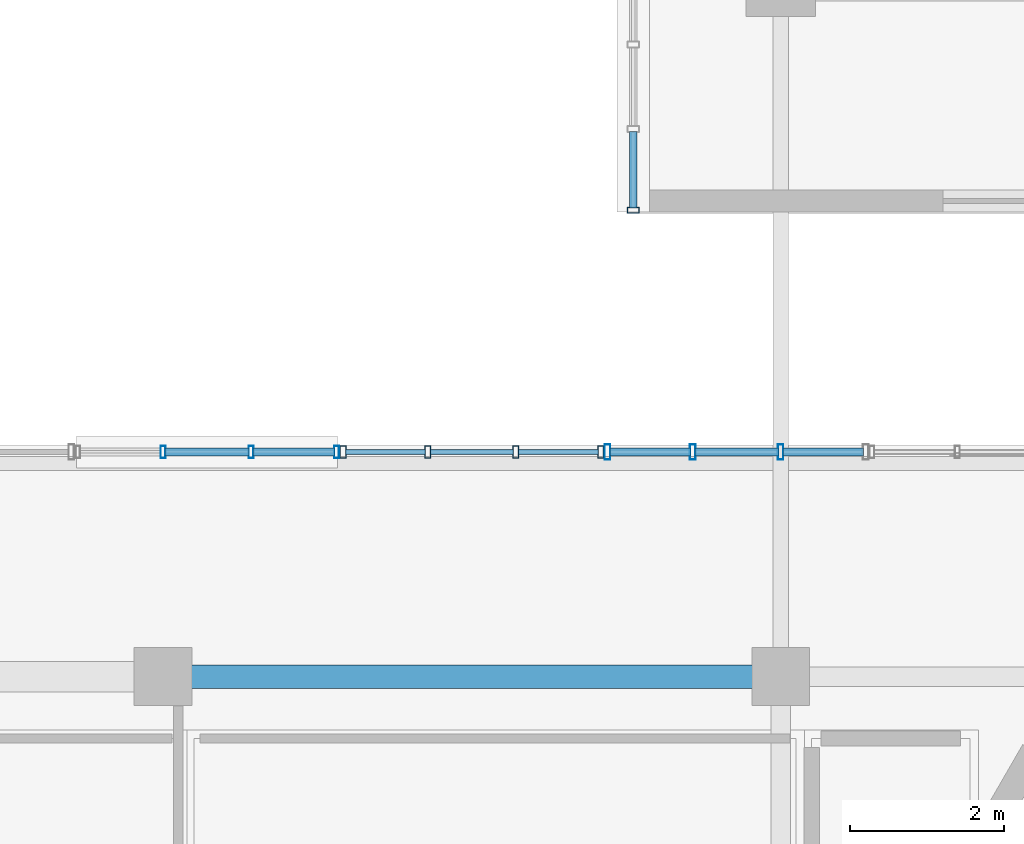
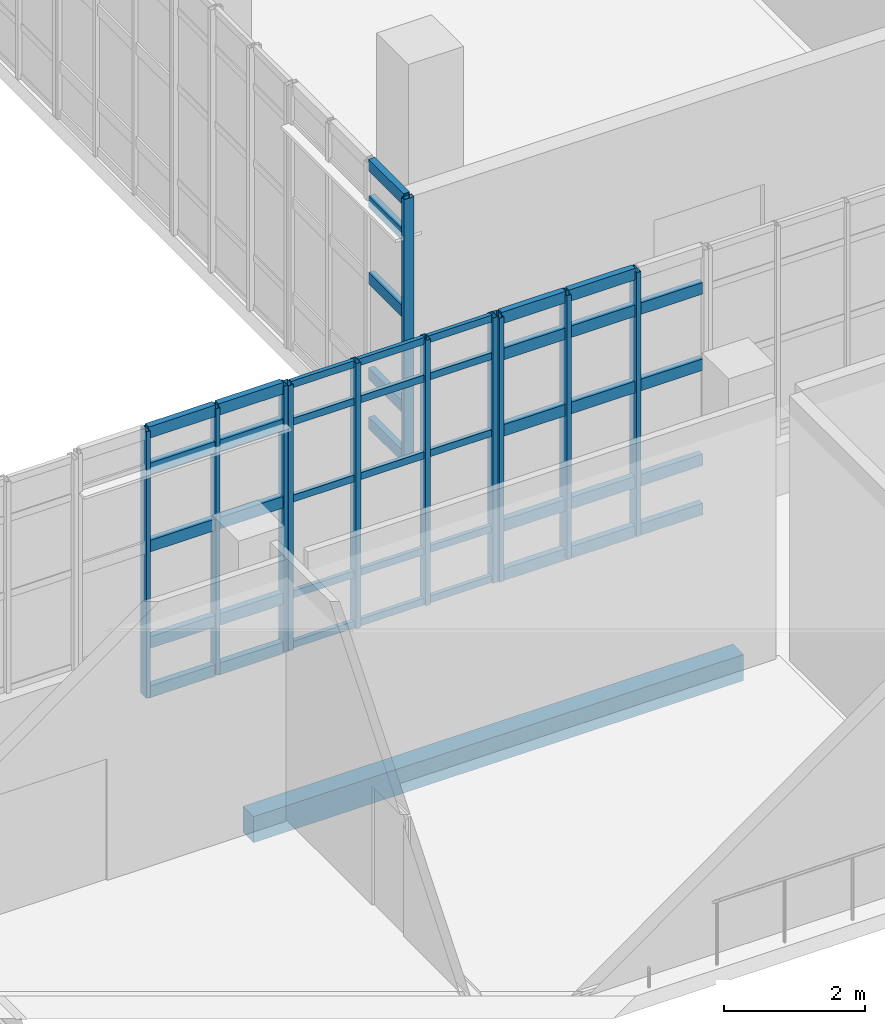
# One storey, part 27 of 102: 55 members, 1 beam, 4 elements without a shape of their own.
"""IFC4 building model written with IfcOpenShell, lengths in metres."""

import ifcopenshell
import ifcopenshell.guid

model = None  # the IFC model being written
_history = None  # IfcOwnerHistory: only IFC2X3 demands one
_inside = {}  # id of a spatial element -> (the spatial element, [elements in it])
_under = {}  # id of a project, library or spatial element -> (it, [spatial elements below it])
_declared = {}  # id of a project -> (the project, [libraries it declares])
_typed = {}  # id of a type object -> (the type object, [elements of that type])
_made_of = {}  # id of a material, layer set ... -> (it, [elements and type objects made of it])


def new_model(schema):
    """Start an empty IFC model of exactly this schema.

    Asked for "IFC4X3", IfcOpenShell would pick the latest addendum, in which some entities
    have other attributes; the version numbers below select the first issue.
    IFC2X3 requires an IfcOwnerHistory on every rooted entity: one is made here for all.
    """
    global model, _history
    if schema == "IFC4X3":
        model = ifcopenshell.file(schema_version=(4, 3, 0, 0))
    else:
        model = ifcopenshell.file(schema=schema)
    _inside.clear()
    _under.clear()
    _declared.clear()
    _typed.clear()
    _made_of.clear()
    _history = None
    if model.schema == "IFC2X3":
        org = make("IfcOrganization", Name="unknown")
        user = make(
            "IfcPersonAndOrganization",
            ThePerson=make("IfcPerson", FamilyName="unknown"),
            TheOrganization=org,
        )
        app = make(
            "IfcApplication",
            ApplicationDeveloper=org,
            Version="unknown",
            ApplicationFullName="unknown",
            ApplicationIdentifier="unknown",
        )
        _history = make(
            "IfcOwnerHistory",
            OwningUser=user,
            OwningApplication=app,
            ChangeAction="ADDED",
            CreationDate=0,
        )
    return model


def make(cls, **values):
    """One entity of the class cls with the attributes given. An attribute that is None is left unset."""
    return model.create_entity(
        cls, **{name: value for name, value in values.items() if value is not None}
    )


def rooted(cls, **values):
    """An entity with a GlobalId (a new one), such as an element, a storey or a relation."""
    return make(cls, GlobalId=ifcopenshell.guid.new(), OwnerHistory=_history, **values)


def si_unit(unit_type, name, prefix=None):
    """IfcSIUnit, for example si_unit("LENGTHUNIT", "METRE", prefix="MILLI")."""
    return make("IfcSIUnit", UnitType=unit_type, Prefix=prefix, Name=name)


def derived_unit(unit_type, elements):
    """IfcDerivedUnit: a product of units, each with its exponent."""
    return make(
        "IfcDerivedUnit",
        Elements=[
            make("IfcDerivedUnitElement", Unit=unit, Exponent=power)
            for unit, power in elements
        ],
        UnitType=unit_type,
    )


def assignment(units):
    """IfcUnitAssignment: the units of a project."""
    return None if units is None else make("IfcUnitAssignment", Units=units)


def point(xyz):
    """IfcCartesianPoint."""
    return None if xyz is None else make("IfcCartesianPoint", Coordinates=xyz)


def direction(xyz):
    """IfcDirection."""
    return None if xyz is None else make("IfcDirection", DirectionRatios=xyz)


def frame(location, z_axis=None, x_axis=None):
    """IfcAxis2Placement3D, a coordinate frame: its origin and axes. An axis left out is left unset."""
    return make(
        "IfcAxis2Placement3D",
        Location=point(location),
        Axis=direction(z_axis),
        RefDirection=direction(x_axis),
    )


def frame_2d(location, x_axis=None):
    """IfcAxis2Placement2D, a coordinate frame in the plane: its origin and x axis."""
    return make(
        "IfcAxis2Placement2D", Location=point(location), RefDirection=direction(x_axis)
    )


def origin():
    """The frame at (0, 0, 0) with its axes left unset."""
    return frame((0.0, 0.0, 0.0))


def origin_2d():
    """The frame at (0, 0) in the plane with its x axis left unset."""
    return frame_2d((0.0, 0.0))


def place(relative_to, where):
    """IfcLocalPlacement: puts the frame where relative to a parent placement (None: the world)."""
    return make(
        "IfcLocalPlacement", PlacementRelTo=relative_to, RelativePlacement=where
    )


def context(
    kind, dimensions, precision=None, world=None, true_north=None, identifier=None
):
    """IfcGeometricRepresentationContext, for example the 3D "Model" context."""
    return make(
        "IfcGeometricRepresentationContext",
        ContextIdentifier=identifier,
        ContextType=kind,
        CoordinateSpaceDimension=dimensions,
        Precision=precision,
        WorldCoordinateSystem=world,
        TrueNorth=true_north,
    )


def subcontext(parent, identifier, kind, view, scale=None):
    """IfcGeometricRepresentationSubContext, for example "Body" below "Model"."""
    return make(
        "IfcGeometricRepresentationSubContext",
        ContextIdentifier=identifier,
        ContextType=kind,
        ParentContext=parent,
        TargetScale=scale,
        TargetView=view,
    )


def project(units=None, contexts=None):
    """IfcProject with its units and contexts."""
    return rooted(
        "IfcProject",
        Name="project",
        RepresentationContexts=contexts,
        UnitsInContext=assignment(units),
    )


def spatial(cls, under=None, at=None, **own):
    """A site, building, storey or space (cls), placed at a placement, below another one or the project."""
    s = rooted(cls, ObjectPlacement=at, **own)
    if under is not None:
        _under.setdefault(under.id(), (under, []))[1].append(s)
    return s


def profile(cls, at=None, kind="AREA", **sizes):
    """A parametric profile (cls). Its sizes go by their IFC names, for example OverallWidth=200.0."""
    return make(cls, ProfileType=kind, Position=at, **sizes)


def rectangle(**sizes):
    """IfcRectangleProfileDef."""
    return profile("IfcRectangleProfileDef", **sizes)


def hollow_rectangle(**sizes):
    """IfcRectangleHollowProfileDef."""
    return profile("IfcRectangleHollowProfileDef", **sizes)


def extrude(swept, where, along, depth):
    """IfcExtrudedAreaSolid: the profile swept, set in the frame where, extruded along a direction by depth."""
    return make(
        "IfcExtrudedAreaSolid",
        SweptArea=swept,
        Position=where,
        ExtrudedDirection=direction(along),
        Depth=depth,
    )


def shape(context_of_items, identifier, shape_type, items):
    """IfcShapeRepresentation: the items that make up one representation, for example the "Body"."""
    return make(
        "IfcShapeRepresentation",
        ContextOfItems=context_of_items,
        RepresentationIdentifier=identifier,
        RepresentationType=shape_type,
        Items=items,
    )


def material(Name=None, Category=None):
    """IfcMaterial."""
    return make("IfcMaterial", Name=Name, Category=Category)


def layer(
    of_material, thickness, ventilated=None, Name=None, Category=None, Priority=None
):
    """IfcMaterialLayer: one layer of a wall or slab, of a material (None: an air gap)."""
    return make(
        "IfcMaterialLayer",
        Material=of_material,
        LayerThickness=thickness,
        IsVentilated=ventilated,
        Name=Name,
        Category=Category,
        Priority=Priority,
    )


def layer_set(layers, Name=None):
    """IfcMaterialLayerSet."""
    return make("IfcMaterialLayerSet", MaterialLayers=layers, LayerSetName=Name)


def material_profile(
    of_material, cross_section, Name=None, Category=None, Priority=None
):
    """IfcMaterialProfile: a cross section and its material."""
    return make(
        "IfcMaterialProfile",
        Name=Name,
        Material=of_material,
        Profile=cross_section,
        Priority=Priority,
        Category=Category,
    )


def profile_set(profiles, Name=None, composite=None):
    """IfcMaterialProfileSet."""
    return make(
        "IfcMaterialProfileSet",
        Name=Name,
        MaterialProfiles=profiles,
        CompositeProfile=composite,
    )


def made_of(thing, what):
    """Note that an element or type object is made of a material, layer set ...; save() writes the relation."""
    if what is not None:
        _made_of.setdefault(what.id(), (what, []))[1].append(thing)
    return thing


def type_object(cls, material=None, **own):
    """A type object (cls), such as IfcWallType, which elements share."""
    return made_of(rooted(cls, **own), material)


def element(
    cls,
    number,
    at=None,
    inside=None,
    cuts=None,
    type_object=None,
    material=None,
    context=None,
    identifier="Body",
    shape_type=None,
    held_by="IfcProductDefinitionShape",
    body=None,
    shapes=None,
    **own,
):
    """One element of the class cls, such as IfcWall. Its Tag is "e" and its number.

    at: its placement. inside: the storey or other place that contains it. cuts: it is an
    opening in that element (IfcRelVoidsElement). A single representation is given by context,
    identifier, shape_type and body (its items); several are given by shapes. held_by: the class
    of the entity that holds the representations. save() writes the other relations.
    """
    e = rooted(cls, Tag="e%d" % number, ObjectPlacement=at, **own)
    if body is not None:
        shapes = [shape(context, identifier, shape_type, body)]
    if shapes is not None:
        e.Representation = make(held_by, Representations=shapes)
    if inside is not None:
        _inside.setdefault(inside.id(), (inside, []))[1].append(e)
    if cuts is not None:
        rooted(
            "IfcRelVoidsElement", RelatingBuildingElement=cuts, RelatedOpeningElement=e
        )
    if type_object is not None:
        _typed.setdefault(type_object.id(), (type_object, []))[1].append(e)
    return made_of(e, material)


def aggregate(whole, parts):
    """IfcRelAggregates: a whole, such as a stair, and the parts it consists of."""
    return rooted("IfcRelAggregates", RelatingObject=whole, RelatedObjects=parts)


def save(model, path):
    """Write the relations noted so far, then the file.

    IfcRelAggregates (storeys below a building ...), IfcRelContainedInSpatialStructure (elements
    in a storey), IfcRelDefinesByType, IfcRelAssociatesMaterial and IfcRelDeclares: one each for
    every whole, place, type object, material and project.
    """
    for whole, parts in _under.values():
        aggregate(whole, parts)
    for where, things in _inside.values():
        rooted(
            "IfcRelContainedInSpatialStructure",
            RelatedElements=things,
            RelatingStructure=where,
        )
    for kind, things in _typed.values():
        rooted("IfcRelDefinesByType", RelatedObjects=things, RelatingType=kind)
    for what, things in _made_of.values():
        rooted("IfcRelAssociatesMaterial", RelatedObjects=things, RelatingMaterial=what)
    for by, libraries in _declared.values():
        rooted("IfcRelDeclares", RelatingContext=by, RelatedDefinitions=libraries)
    model.write(path)


model = new_model("IFC4")

# Units and contexts
model_context = context("Model", 3, precision=1e-05, world=origin(), true_north=direction((0.0, 1.0)))
body_context = subcontext(model_context, "Body", "Model", "MODEL_VIEW")
ifc_project = project(units=[si_unit("LENGTHUNIT", "METRE"), si_unit("AREAUNIT", "SQUARE_METRE"), si_unit("VOLUMEUNIT", "CUBIC_METRE"), si_unit("PLANEANGLEUNIT", "RADIAN"), si_unit("MASSUNIT", "GRAM", prefix="KILO"), derived_unit("THERMALTRANSMITTANCEUNIT", [(si_unit("POWERUNIT", "WATT"), 1), (si_unit("LENGTHUNIT", "METRE"), -2), (si_unit("THERMODYNAMICTEMPERATUREUNIT", "KELVIN"), -1)])], contexts=[model_context])

# Site, building, storey
site_placement = place(None, origin())
site = spatial("IfcSite", under=ifc_project, at=site_placement, CompositionType="ELEMENT")
building_placement = place(site_placement, origin())
building = spatial("IfcBuilding", under=site, at=building_placement, Name="Nallur Shell Playhouse", CompositionType="ELEMENT")
storey_placement = place(building_placement, frame((0.0, 0.0, 15.0)))
storey = spatial("IfcBuildingStorey", under=building, at=storey_placement, Name="L04", CompositionType="ELEMENT", Elevation=15.0)

# Beam
ifc_material_1 = material(Name="Concrete M35", Category="concrete")
ifc_material_profile_1 = material_profile(ifc_material_1, rectangle(XDim=0.300048828125, YDim=0.449951171875, at=origin_2d()), Name="RC 300x450")
ifc_profile_set_1 = profile_set([ifc_material_profile_1], Name="Concrete M35")
beam_type = type_object("IfcBeamType", Name="BM-SPN-300x450", PredefinedType="SPANDREL", material=ifc_profile_set_1)
beam_placement = place(storey_placement, frame((48.0, 41.0, -0.485107421875), z_axis=(1.0, 0.0, 0.0), x_axis=(0.0, 1.0, 0.0)))
element("IfcBeam", 1, at=beam_placement, inside=storey, type_object=beam_type, Name="L04 girder X-E-768", PredefinedType="SPANDREL", context=body_context, shape_type="SweptSolid", body=[
    extrude(rectangle(XDim=0.300048828125, YDim=0.449951171875, at=origin_2d()), origin(), (0.0, 0.0, 1.0), 8.0),
])

# Curtain wall, members
ifc_material_2 = material(Name="Anodised Aluminium Double-Glazed Facade System", Category="aluminium")
ifc_layer_1 = layer(ifc_material_2, 0.172119140625)
ifc_layer_set_1 = layer_set([ifc_layer_1], Name="Anodised Aluminium Double-Glazed Facade System")
curtain_wall_type_1 = type_object("IfcCurtainWallType", Name="CW-UNIT-21", PredefinedType="NOTDEFINED", material=ifc_layer_set_1)
curtain_wall_1_placement = place(storey_placement, origin())
curtain_wall_1 = element("IfcCurtainWall", 2, at=curtain_wall_1_placement, inside=storey, type_object=curtain_wall_type_1, Name="Unitised curtain wall CW-149 (L04)", PredefinedType="NOTDEFINED")
ifc_material_3 = material(Name="Aluminium Alloy 6063-T6 Mullion", Category="aluminium")
ifc_material_profile_2 = material_profile(ifc_material_3, hollow_rectangle(XDim=0.080078125, YDim=0.159912109375, WallThickness=0.006103515625, at=origin_2d()), Name="RHS 160x80x6")
ifc_profile_set_2 = profile_set([ifc_material_profile_2], Name="Aluminium Alloy 6063-T6 Mullion")
member_type_1 = type_object("IfcMemberType", Name="MB-CW-MUL150", PredefinedType="MULLION", material=ifc_profile_set_2)
member_1_placement = place(storey_placement, frame((50.330810546875, 43.909912109375, -0.014892578125), z_axis=(0.0, 0.0, 1.0), x_axis=(1.0, 0.0, 0.0)))
member_1 = element("IfcMember", 3, at=member_1_placement, type_object=member_type_1, Name="CW-21 mullion 1", PredefinedType="MULLION", context=body_context, shape_type="SweptSolid", body=[
    extrude(hollow_rectangle(XDim=0.080078125, YDim=0.159912109375, WallThickness=0.006103515625, at=origin_2d()), origin(), (0.0, 0.0, 1.0), 4.578857421875),
])
member_2_placement = place(storey_placement, frame((51.43017578125, 43.909912109375, -0.014892578125), z_axis=(0.0, 0.0, 1.0), x_axis=(1.0, 0.0, 0.0)))
member_2 = element("IfcMember", 4, at=member_2_placement, type_object=member_type_1, Name="CW-21 mullion 2", PredefinedType="MULLION", context=body_context, shape_type="SweptSolid", body=[
    extrude(hollow_rectangle(XDim=0.080078125, YDim=0.159912109375, WallThickness=0.006103515625, at=origin_2d()), origin(), (0.0, 0.0, 1.0), 4.578857421875),
])
member_3_placement = place(storey_placement, frame((52.56982421875, 43.909912109375, -0.014892578125), z_axis=(0.0, 0.0, 1.0), x_axis=(1.0, 0.0, 0.0)))
member_3 = element("IfcMember", 5, at=member_3_placement, type_object=member_type_1, Name="CW-21 mullion 3", PredefinedType="MULLION", context=body_context, shape_type="SweptSolid", body=[
    extrude(hollow_rectangle(XDim=0.080078125, YDim=0.159912109375, WallThickness=0.006103515625, at=origin_2d()), origin(), (0.0, 0.0, 1.0), 4.578857421875),
])
member_4_placement = place(storey_placement, frame((53.669189453125, 43.909912109375, -0.014892578125), z_axis=(0.0, 0.0, 1.0), x_axis=(1.0, 0.0, 0.0)))
member_4 = element("IfcMember", 6, at=member_4_placement, type_object=member_type_1, Name="CW-21 mullion 4", PredefinedType="MULLION", context=body_context, shape_type="SweptSolid", body=[
    extrude(hollow_rectangle(XDim=0.080078125, YDim=0.159912109375, WallThickness=0.006103515625, at=origin_2d()), origin(), (0.0, 0.0, 1.0), 4.578857421875),
])

# Curtain wall, member
ifc_layer_2 = layer(ifc_material_2, 0.159912109375)
ifc_layer_set_2 = layer_set([ifc_layer_2], Name="Anodised Aluminium Double-Glazed Facade System")
curtain_wall_type_2 = type_object("IfcCurtainWallType", Name="CW-UNIT-24", PredefinedType="NOTDEFINED", material=ifc_layer_set_2)
curtain_wall_2_placement = place(storey_placement, origin())
curtain_wall_2 = element("IfcCurtainWall", 7, at=curtain_wall_2_placement, inside=storey, type_object=curtain_wall_type_2, Name="Unitised curtain wall CW-152 (L04)", PredefinedType="NOTDEFINED")
member_5_placement = place(storey_placement, frame((54.090087890625, 47.0400390625, -0.014892578125), z_axis=(0.0, 0.0, 1.0), x_axis=(0.0, 1.0, 0.0)))
member_5 = element("IfcMember", 8, at=member_5_placement, type_object=member_type_1, Name="CW-24 mullion 1", PredefinedType="MULLION", context=body_context, shape_type="SweptSolid", body=[
    extrude(hollow_rectangle(XDim=0.080078125, YDim=0.159912109375, WallThickness=0.006103515625, at=origin_2d()), origin(), (0.0, 0.0, 1.0), 4.56884765625),
])

# Curtain wall, members
ifc_layer_3 = layer(ifc_material_2, 0.16796875)
ifc_layer_set_3 = layer_set([ifc_layer_3], Name="Anodised Aluminium Double-Glazed Facade System")
curtain_wall_type_3 = type_object("IfcCurtainWallType", Name="CW-UNIT-20", PredefinedType="NOTDEFINED", material=ifc_layer_set_3)
curtain_wall_3_placement = place(storey_placement, origin())
curtain_wall_3 = element("IfcCurtainWall", 9, at=curtain_wall_3_placement, inside=storey, type_object=curtain_wall_type_3, Name="Unitised curtain wall CW-148 (L04)", PredefinedType="NOTDEFINED")
ifc_material_profile_3 = material_profile(ifc_material_3, hollow_rectangle(XDim=0.06494140625, YDim=0.159912109375, WallThickness=0.00390625, at=origin_2d()), Name="ALU 65x160x4")
ifc_profile_set_3 = profile_set([ifc_material_profile_3], Name="Aluminium Alloy 6063-T6 Mullion")
member_type_2 = type_object("IfcMemberType", Name="MB-CW-MUL160", PredefinedType="MULLION", material=ifc_profile_set_3)
member_6_placement = place(storey_placement, frame((48.001708984375, 43.909912109375, -0.014892578125), z_axis=(0.0, 0.0, 1.0), x_axis=(1.0, 0.0, 0.0)))
member_6 = element("IfcMember", 10, at=member_6_placement, type_object=member_type_2, Name="CW-20 mullion 2", PredefinedType="MULLION", context=body_context, shape_type="SweptSolid", body=[
    extrude(hollow_rectangle(XDim=0.06494140625, YDim=0.159912109375, WallThickness=0.00390625, at=origin_2d()), origin(), (0.0, 0.0, 1.0), 4.598876953125),
])
member_7_placement = place(storey_placement, frame((49.14111328125, 43.909912109375, -0.014892578125), z_axis=(0.0, 0.0, 1.0), x_axis=(1.0, 0.0, 0.0)))
member_7 = element("IfcMember", 11, at=member_7_placement, type_object=member_type_2, Name="CW-20 mullion 3", PredefinedType="MULLION", context=body_context, shape_type="SweptSolid", body=[
    extrude(hollow_rectangle(XDim=0.06494140625, YDim=0.159912109375, WallThickness=0.00390625, at=origin_2d()), origin(), (0.0, 0.0, 1.0), 4.598876953125),
])
member_8_placement = place(storey_placement, frame((50.248291015625, 43.909912109375, -0.014892578125), z_axis=(0.0, 0.0, 1.0), x_axis=(1.0, 0.0, 0.0)))
member_8 = element("IfcMember", 12, at=member_8_placement, type_object=member_type_2, Name="CW-20 mullion 4", PredefinedType="MULLION", context=body_context, shape_type="SweptSolid", body=[
    extrude(hollow_rectangle(XDim=0.06494140625, YDim=0.159912109375, WallThickness=0.00390625, at=origin_2d()), origin(), (0.0, 0.0, 1.0), 4.598876953125),
])

ifc_layer_4 = layer(ifc_material_2, 0.176025390625)
ifc_layer_set_4 = layer_set([ifc_layer_4], Name="Anodised Aluminium Double-Glazed Facade System")
curtain_wall_type_4 = type_object("IfcCurtainWallType", Name="CW-UNIT-22", PredefinedType="NOTDEFINED", material=ifc_layer_set_4)
curtain_wall_4_placement = place(storey_placement, origin())
curtain_wall_4 = element("IfcCurtainWall", 13, at=curtain_wall_4_placement, inside=storey, type_object=curtain_wall_type_4, Name="Unitised curtain wall CW-150 (L04)", PredefinedType="NOTDEFINED")
ifc_material_profile_4 = material_profile(ifc_material_3, hollow_rectangle(XDim=0.074951171875, YDim=0.199951171875, WallThickness=0.0048828125, at=origin_2d()), Name="ALU 75x200x5")
ifc_profile_set_4 = profile_set([ifc_material_profile_4], Name="Aluminium Alloy 6063-T6 Mullion")
member_type_3 = type_object("IfcMemberType", Name="MB-CW-MUL180", PredefinedType="MULLION", material=ifc_profile_set_4)
member_9_placement = place(storey_placement, frame((53.7568359375, 43.909912109375, -0.014892578125), z_axis=(0.0, 0.0, 1.0), x_axis=(1.0, 0.0, 0.0)))
member_9 = element("IfcMember", 14, at=member_9_placement, type_object=member_type_3, Name="CW-22 mullion 1", PredefinedType="MULLION", context=body_context, shape_type="SweptSolid", body=[
    extrude(hollow_rectangle(XDim=0.074951171875, YDim=0.199951171875, WallThickness=0.0048828125, at=origin_2d()), origin(), (0.0, 0.0, 1.0), 4.558837890625),
])
member_10_placement = place(storey_placement, frame((54.85888671875, 43.909912109375, -0.014892578125), z_axis=(0.0, 0.0, 1.0), x_axis=(1.0, 0.0, 0.0)))
member_10 = element("IfcMember", 15, at=member_10_placement, type_object=member_type_3, Name="CW-22 mullion 2", PredefinedType="MULLION", context=body_context, shape_type="SweptSolid", body=[
    extrude(hollow_rectangle(XDim=0.074951171875, YDim=0.199951171875, WallThickness=0.0048828125, at=origin_2d()), origin(), (0.0, 0.0, 1.0), 4.558837890625),
])
member_11_placement = place(storey_placement, frame((55.998291015625, 43.909912109375, -0.014892578125), z_axis=(0.0, 0.0, 1.0), x_axis=(1.0, 0.0, 0.0)))
member_11 = element("IfcMember", 16, at=member_11_placement, type_object=member_type_3, Name="CW-22 mullion 3", PredefinedType="MULLION", context=body_context, shape_type="SweptSolid", body=[
    extrude(hollow_rectangle(XDim=0.074951171875, YDim=0.199951171875, WallThickness=0.0048828125, at=origin_2d()), origin(), (0.0, 0.0, 1.0), 4.558837890625),
])

# Member
ifc_material_4 = material(Name="Aluminium Alloy 6063-T6 Transom", Category="aluminium")
ifc_material_profile_5 = material_profile(ifc_material_4, hollow_rectangle(XDim=0.06494140625, YDim=0.1201171875, WallThickness=0.00390625, at=origin_2d()), Name="ALU 65x120x4")
ifc_profile_set_5 = profile_set([ifc_material_profile_5], Name="Aluminium Alloy 6063-T6 Transom")
member_type_4 = type_object("IfcMemberType", Name="MB-CW-TRN120", PredefinedType="USERDEFINED", material=ifc_profile_set_5)
member_12_placement = place(storey_placement, frame((50.36279296875, 43.909912109375, 0.032470703125), z_axis=(1.0, 0.0, 0.0), x_axis=(0.0, 1.0, 0.0)))
member_12 = element("IfcMember", 17, at=member_12_placement, type_object=member_type_4, Name="CW-21 transom 1.1", ObjectType="TRANSOM", PredefinedType="USERDEFINED", context=body_context, shape_type="SweptSolid", body=[
    extrude(hollow_rectangle(XDim=0.06494140625, YDim=0.1201171875, WallThickness=0.00390625, at=origin_2d()), origin(), (0.0, 0.0, 1.0), 1.035400390625),
])

member_13_placement = place(storey_placement, frame((50.36279296875, 43.909912109375, 0.89990234375), z_axis=(1.0, 0.0, 0.0), x_axis=(0.0, 1.0, 0.0)))
member_13 = element("IfcMember", 18, at=member_13_placement, type_object=member_type_4, Name="CW-21 transom 1.2", ObjectType="TRANSOM", PredefinedType="USERDEFINED", context=body_context, shape_type="SweptSolid", body=[
    extrude(hollow_rectangle(XDim=0.06494140625, YDim=0.1201171875, WallThickness=0.00390625, at=origin_2d()), origin(), (0.0, 0.0, 1.0), 1.035400390625),
])

member_14_placement = place(storey_placement, frame((50.36279296875, 43.909912109375, 2.553955078125), z_axis=(1.0, 0.0, 0.0), x_axis=(0.0, 1.0, 0.0)))
member_14 = element("IfcMember", 19, at=member_14_placement, type_object=member_type_4, Name="CW-21 transom 1.3", ObjectType="TRANSOM", PredefinedType="USERDEFINED", context=body_context, shape_type="SweptSolid", body=[
    extrude(hollow_rectangle(XDim=0.06494140625, YDim=0.1201171875, WallThickness=0.00390625, at=origin_2d()), origin(), (0.0, 0.0, 1.0), 1.035400390625),
])

member_15_placement = place(storey_placement, frame((50.36279296875, 43.909912109375, 3.8798828125), z_axis=(1.0, 0.0, 0.0), x_axis=(0.0, 1.0, 0.0)))
member_15 = element("IfcMember", 20, at=member_15_placement, type_object=member_type_4, Name="CW-21 transom 1.4", ObjectType="TRANSOM", PredefinedType="USERDEFINED", context=body_context, shape_type="SweptSolid", body=[
    extrude(hollow_rectangle(XDim=0.06494140625, YDim=0.1201171875, WallThickness=0.00390625, at=origin_2d()), origin(), (0.0, 0.0, 1.0), 1.035400390625),
])

member_16_placement = place(storey_placement, frame((50.36279296875, 43.909912109375, 4.527587890625), z_axis=(1.0, 0.0, 0.0), x_axis=(0.0, 1.0, 0.0)))
member_16 = element("IfcMember", 21, at=member_16_placement, type_object=member_type_4, Name="CW-21 transom 1.5", ObjectType="TRANSOM", PredefinedType="USERDEFINED", context=body_context, shape_type="SweptSolid", body=[
    extrude(hollow_rectangle(XDim=0.06494140625, YDim=0.1201171875, WallThickness=0.00390625, at=origin_2d()), origin(), (0.0, 0.0, 1.0), 1.035400390625),
])

member_17_placement = place(storey_placement, frame((51.462158203125, 43.909912109375, 0.032470703125), z_axis=(1.0, 0.0, 0.0), x_axis=(0.0, 1.0, 0.0)))
member_17 = element("IfcMember", 22, at=member_17_placement, type_object=member_type_4, Name="CW-21 transom 2.1", ObjectType="TRANSOM", PredefinedType="USERDEFINED", context=body_context, shape_type="SweptSolid", body=[
    extrude(hollow_rectangle(XDim=0.06494140625, YDim=0.1201171875, WallThickness=0.00390625, at=origin_2d()), origin(), (0.0, 0.0, 1.0), 1.07568359375),
])

member_18_placement = place(storey_placement, frame((51.462158203125, 43.909912109375, 0.89990234375), z_axis=(1.0, 0.0, 0.0), x_axis=(0.0, 1.0, 0.0)))
member_18 = element("IfcMember", 23, at=member_18_placement, type_object=member_type_4, Name="CW-21 transom 2.2", ObjectType="TRANSOM", PredefinedType="USERDEFINED", context=body_context, shape_type="SweptSolid", body=[
    extrude(hollow_rectangle(XDim=0.06494140625, YDim=0.1201171875, WallThickness=0.00390625, at=origin_2d()), origin(), (0.0, 0.0, 1.0), 1.07568359375),
])

member_19_placement = place(storey_placement, frame((51.462158203125, 43.909912109375, 2.553955078125), z_axis=(1.0, 0.0, 0.0), x_axis=(0.0, 1.0, 0.0)))
member_19 = element("IfcMember", 24, at=member_19_placement, type_object=member_type_4, Name="CW-21 transom 2.3", ObjectType="TRANSOM", PredefinedType="USERDEFINED", context=body_context, shape_type="SweptSolid", body=[
    extrude(hollow_rectangle(XDim=0.06494140625, YDim=0.1201171875, WallThickness=0.00390625, at=origin_2d()), origin(), (0.0, 0.0, 1.0), 1.07568359375),
])

member_20_placement = place(storey_placement, frame((51.462158203125, 43.909912109375, 3.8798828125), z_axis=(1.0, 0.0, 0.0), x_axis=(0.0, 1.0, 0.0)))
member_20 = element("IfcMember", 25, at=member_20_placement, type_object=member_type_4, Name="CW-21 transom 2.4", ObjectType="TRANSOM", PredefinedType="USERDEFINED", context=body_context, shape_type="SweptSolid", body=[
    extrude(hollow_rectangle(XDim=0.06494140625, YDim=0.1201171875, WallThickness=0.00390625, at=origin_2d()), origin(), (0.0, 0.0, 1.0), 1.07568359375),
])

member_21_placement = place(storey_placement, frame((51.462158203125, 43.909912109375, 4.527587890625), z_axis=(1.0, 0.0, 0.0), x_axis=(0.0, 1.0, 0.0)))
member_21 = element("IfcMember", 26, at=member_21_placement, type_object=member_type_4, Name="CW-21 transom 2.5", ObjectType="TRANSOM", PredefinedType="USERDEFINED", context=body_context, shape_type="SweptSolid", body=[
    extrude(hollow_rectangle(XDim=0.06494140625, YDim=0.1201171875, WallThickness=0.00390625, at=origin_2d()), origin(), (0.0, 0.0, 1.0), 1.07568359375),
])

member_22_placement = place(storey_placement, frame((52.601806640625, 43.909912109375, 0.032470703125), z_axis=(1.0, 0.0, 0.0), x_axis=(0.0, 1.0, 0.0)))
member_22 = element("IfcMember", 27, at=member_22_placement, type_object=member_type_4, Name="CW-21 transom 3.1", ObjectType="TRANSOM", PredefinedType="USERDEFINED", context=body_context, shape_type="SweptSolid", body=[
    extrude(hollow_rectangle(XDim=0.06494140625, YDim=0.1201171875, WallThickness=0.00390625, at=origin_2d()), origin(), (0.0, 0.0, 1.0), 1.035400390625),
])

member_23_placement = place(storey_placement, frame((52.601806640625, 43.909912109375, 0.89990234375), z_axis=(1.0, 0.0, 0.0), x_axis=(0.0, 1.0, 0.0)))
member_23 = element("IfcMember", 28, at=member_23_placement, type_object=member_type_4, Name="CW-21 transom 3.2", ObjectType="TRANSOM", PredefinedType="USERDEFINED", context=body_context, shape_type="SweptSolid", body=[
    extrude(hollow_rectangle(XDim=0.06494140625, YDim=0.1201171875, WallThickness=0.00390625, at=origin_2d()), origin(), (0.0, 0.0, 1.0), 1.035400390625),
])

member_24_placement = place(storey_placement, frame((52.601806640625, 43.909912109375, 2.553955078125), z_axis=(1.0, 0.0, 0.0), x_axis=(0.0, 1.0, 0.0)))
member_24 = element("IfcMember", 29, at=member_24_placement, type_object=member_type_4, Name="CW-21 transom 3.3", ObjectType="TRANSOM", PredefinedType="USERDEFINED", context=body_context, shape_type="SweptSolid", body=[
    extrude(hollow_rectangle(XDim=0.06494140625, YDim=0.1201171875, WallThickness=0.00390625, at=origin_2d()), origin(), (0.0, 0.0, 1.0), 1.035400390625),
])

member_25_placement = place(storey_placement, frame((52.601806640625, 43.909912109375, 3.8798828125), z_axis=(1.0, 0.0, 0.0), x_axis=(0.0, 1.0, 0.0)))
member_25 = element("IfcMember", 30, at=member_25_placement, type_object=member_type_4, Name="CW-21 transom 3.4", ObjectType="TRANSOM", PredefinedType="USERDEFINED", context=body_context, shape_type="SweptSolid", body=[
    extrude(hollow_rectangle(XDim=0.06494140625, YDim=0.1201171875, WallThickness=0.00390625, at=origin_2d()), origin(), (0.0, 0.0, 1.0), 1.035400390625),
])

member_26_placement = place(storey_placement, frame((52.601806640625, 43.909912109375, 4.527587890625), z_axis=(1.0, 0.0, 0.0), x_axis=(0.0, 1.0, 0.0)))
member_26 = element("IfcMember", 31, at=member_26_placement, type_object=member_type_4, Name="CW-21 transom 3.5", ObjectType="TRANSOM", PredefinedType="USERDEFINED", context=body_context, shape_type="SweptSolid", body=[
    extrude(hollow_rectangle(XDim=0.06494140625, YDim=0.1201171875, WallThickness=0.00390625, at=origin_2d()), origin(), (0.0, 0.0, 1.0), 1.035400390625),
])

aggregate(curtain_wall_1, [member_1, member_2, member_3, member_4, member_12, member_13, member_14, member_15, member_16, member_17, member_18, member_19, member_20, member_21, member_22, member_23, member_24, member_25, member_26])

ifc_material_profile_6 = material_profile(ifc_material_4, hollow_rectangle(XDim=0.10009765625, YDim=0.199951171875, WallThickness=0.008056640625, at=origin_2d()), Name="RHS 200x100x8")
ifc_profile_set_6 = profile_set([ifc_material_profile_6], Name="Aluminium Alloy 6063-T6 Transom")
member_type_5 = type_object("IfcMemberType", Name="MB-CW-TRN140", PredefinedType="USERDEFINED", material=ifc_profile_set_6)
member_27_placement = place(storey_placement, frame((48.026123046875, 43.909912109375, 0.050048828125), z_axis=(1.0, 0.0, 0.0), x_axis=(0.0, 1.0, 0.0)))
member_27 = element("IfcMember", 32, at=member_27_placement, type_object=member_type_5, Name="CW-20 transom 2.1", ObjectType="TRANSOM", PredefinedType="USERDEFINED", context=body_context, shape_type="SweptSolid", body=[
    extrude(hollow_rectangle(XDim=0.10009765625, YDim=0.199951171875, WallThickness=0.008056640625, at=origin_2d()), origin(), (0.0, 0.0, 1.0), 1.090576171875),
])

member_28_placement = place(storey_placement, frame((48.026123046875, 43.909912109375, 0.89990234375), z_axis=(1.0, 0.0, 0.0), x_axis=(0.0, 1.0, 0.0)))
member_28 = element("IfcMember", 33, at=member_28_placement, type_object=member_type_5, Name="CW-20 transom 2.2", ObjectType="TRANSOM", PredefinedType="USERDEFINED", context=body_context, shape_type="SweptSolid", body=[
    extrude(hollow_rectangle(XDim=0.10009765625, YDim=0.199951171875, WallThickness=0.008056640625, at=origin_2d()), origin(), (0.0, 0.0, 1.0), 1.090576171875),
])

member_29_placement = place(storey_placement, frame((48.026123046875, 43.909912109375, 2.56494140625), z_axis=(1.0, 0.0, 0.0), x_axis=(0.0, 1.0, 0.0)))
member_29 = element("IfcMember", 34, at=member_29_placement, type_object=member_type_5, Name="CW-20 transom 2.3", ObjectType="TRANSOM", PredefinedType="USERDEFINED", context=body_context, shape_type="SweptSolid", body=[
    extrude(hollow_rectangle(XDim=0.10009765625, YDim=0.199951171875, WallThickness=0.008056640625, at=origin_2d()), origin(), (0.0, 0.0, 1.0), 1.090576171875),
])

member_30_placement = place(storey_placement, frame((48.026123046875, 43.909912109375, 3.89990234375), z_axis=(1.0, 0.0, 0.0), x_axis=(0.0, 1.0, 0.0)))
member_30 = element("IfcMember", 35, at=member_30_placement, type_object=member_type_5, Name="CW-20 transom 2.4", ObjectType="TRANSOM", PredefinedType="USERDEFINED", context=body_context, shape_type="SweptSolid", body=[
    extrude(hollow_rectangle(XDim=0.10009765625, YDim=0.199951171875, WallThickness=0.008056640625, at=origin_2d()), origin(), (0.0, 0.0, 1.0), 1.090576171875),
])

member_31_placement = place(storey_placement, frame((48.026123046875, 43.909912109375, 4.530029296875), z_axis=(1.0, 0.0, 0.0), x_axis=(0.0, 1.0, 0.0)))
member_31 = element("IfcMember", 36, at=member_31_placement, type_object=member_type_5, Name="CW-20 transom 2.5", ObjectType="TRANSOM", PredefinedType="USERDEFINED", context=body_context, shape_type="SweptSolid", body=[
    extrude(hollow_rectangle(XDim=0.10009765625, YDim=0.199951171875, WallThickness=0.008056640625, at=origin_2d()), origin(), (0.0, 0.0, 1.0), 1.090576171875),
])

member_32_placement = place(storey_placement, frame((49.165771484375, 43.909912109375, 0.050048828125), z_axis=(1.0, 0.0, 0.0), x_axis=(0.0, 1.0, 0.0)))
member_32 = element("IfcMember", 37, at=member_32_placement, type_object=member_type_5, Name="CW-20 transom 3.1", ObjectType="TRANSOM", PredefinedType="USERDEFINED", context=body_context, shape_type="SweptSolid", body=[
    extrude(hollow_rectangle(XDim=0.10009765625, YDim=0.199951171875, WallThickness=0.008056640625, at=origin_2d()), origin(), (0.0, 0.0, 1.0), 1.057861328125),
])

member_33_placement = place(storey_placement, frame((49.165771484375, 43.909912109375, 0.89990234375), z_axis=(1.0, 0.0, 0.0), x_axis=(0.0, 1.0, 0.0)))
member_33 = element("IfcMember", 38, at=member_33_placement, type_object=member_type_5, Name="CW-20 transom 3.2", ObjectType="TRANSOM", PredefinedType="USERDEFINED", context=body_context, shape_type="SweptSolid", body=[
    extrude(hollow_rectangle(XDim=0.10009765625, YDim=0.199951171875, WallThickness=0.008056640625, at=origin_2d()), origin(), (0.0, 0.0, 1.0), 1.057861328125),
])

member_34_placement = place(storey_placement, frame((49.165771484375, 43.909912109375, 2.56494140625), z_axis=(1.0, 0.0, 0.0), x_axis=(0.0, 1.0, 0.0)))
member_34 = element("IfcMember", 39, at=member_34_placement, type_object=member_type_5, Name="CW-20 transom 3.3", ObjectType="TRANSOM", PredefinedType="USERDEFINED", context=body_context, shape_type="SweptSolid", body=[
    extrude(hollow_rectangle(XDim=0.10009765625, YDim=0.199951171875, WallThickness=0.008056640625, at=origin_2d()), origin(), (0.0, 0.0, 1.0), 1.057861328125),
])

member_35_placement = place(storey_placement, frame((49.165771484375, 43.909912109375, 3.89990234375), z_axis=(1.0, 0.0, 0.0), x_axis=(0.0, 1.0, 0.0)))
member_35 = element("IfcMember", 40, at=member_35_placement, type_object=member_type_5, Name="CW-20 transom 3.4", ObjectType="TRANSOM", PredefinedType="USERDEFINED", context=body_context, shape_type="SweptSolid", body=[
    extrude(hollow_rectangle(XDim=0.10009765625, YDim=0.199951171875, WallThickness=0.008056640625, at=origin_2d()), origin(), (0.0, 0.0, 1.0), 1.057861328125),
])

member_36_placement = place(storey_placement, frame((49.165771484375, 43.909912109375, 4.530029296875), z_axis=(1.0, 0.0, 0.0), x_axis=(0.0, 1.0, 0.0)))
member_36 = element("IfcMember", 41, at=member_36_placement, type_object=member_type_5, Name="CW-20 transom 3.5", ObjectType="TRANSOM", PredefinedType="USERDEFINED", context=body_context, shape_type="SweptSolid", body=[
    extrude(hollow_rectangle(XDim=0.10009765625, YDim=0.199951171875, WallThickness=0.008056640625, at=origin_2d()), origin(), (0.0, 0.0, 1.0), 1.057861328125),
])

aggregate(curtain_wall_3, [member_6, member_7, member_8, member_27, member_28, member_29, member_30, member_31, member_32, member_33, member_34, member_35, member_36])

member_37_placement = place(storey_placement, frame((53.786376953125, 43.909912109375, 0.050048828125), z_axis=(1.0, 0.0, 0.0), x_axis=(0.0, 1.0, 0.0)))
member_37 = element("IfcMember", 42, at=member_37_placement, type_object=member_type_5, Name="CW-22 transom 1.1", ObjectType="TRANSOM", PredefinedType="USERDEFINED", context=body_context, shape_type="SweptSolid", body=[
    extrude(hollow_rectangle(XDim=0.10009765625, YDim=0.199951171875, WallThickness=0.008056640625, at=origin_2d()), origin(), (0.0, 0.0, 1.0), 1.04296875),
])

member_38_placement = place(storey_placement, frame((53.786376953125, 43.909912109375, 0.89990234375), z_axis=(1.0, 0.0, 0.0), x_axis=(0.0, 1.0, 0.0)))
member_38 = element("IfcMember", 43, at=member_38_placement, type_object=member_type_5, Name="CW-22 transom 1.2", ObjectType="TRANSOM", PredefinedType="USERDEFINED", context=body_context, shape_type="SweptSolid", body=[
    extrude(hollow_rectangle(XDim=0.10009765625, YDim=0.199951171875, WallThickness=0.008056640625, at=origin_2d()), origin(), (0.0, 0.0, 1.0), 1.04296875),
])

member_39_placement = place(storey_placement, frame((53.786376953125, 43.909912109375, 2.5419921875), z_axis=(1.0, 0.0, 0.0), x_axis=(0.0, 1.0, 0.0)))
member_39 = element("IfcMember", 44, at=member_39_placement, type_object=member_type_5, Name="CW-22 transom 1.3", ObjectType="TRANSOM", PredefinedType="USERDEFINED", context=body_context, shape_type="SweptSolid", body=[
    extrude(hollow_rectangle(XDim=0.10009765625, YDim=0.199951171875, WallThickness=0.008056640625, at=origin_2d()), origin(), (0.0, 0.0, 1.0), 1.04296875),
])

member_40_placement = place(storey_placement, frame((53.786376953125, 43.909912109375, 3.860107421875), z_axis=(1.0, 0.0, 0.0), x_axis=(0.0, 1.0, 0.0)))
member_40 = element("IfcMember", 45, at=member_40_placement, type_object=member_type_5, Name="CW-22 transom 1.4", ObjectType="TRANSOM", PredefinedType="USERDEFINED", context=body_context, shape_type="SweptSolid", body=[
    extrude(hollow_rectangle(XDim=0.10009765625, YDim=0.199951171875, WallThickness=0.008056640625, at=origin_2d()), origin(), (0.0, 0.0, 1.0), 1.04296875),
])

member_41_placement = place(storey_placement, frame((53.786376953125, 43.909912109375, 4.489990234375), z_axis=(1.0, 0.0, 0.0), x_axis=(0.0, 1.0, 0.0)))
member_41 = element("IfcMember", 46, at=member_41_placement, type_object=member_type_5, Name="CW-22 transom 1.5", ObjectType="TRANSOM", PredefinedType="USERDEFINED", context=body_context, shape_type="SweptSolid", body=[
    extrude(hollow_rectangle(XDim=0.10009765625, YDim=0.199951171875, WallThickness=0.008056640625, at=origin_2d()), origin(), (0.0, 0.0, 1.0), 1.04296875),
])

member_42_placement = place(storey_placement, frame((54.888427734375, 43.909912109375, 0.050048828125), z_axis=(1.0, 0.0, 0.0), x_axis=(0.0, 1.0, 0.0)))
member_42 = element("IfcMember", 47, at=member_42_placement, type_object=member_type_5, Name="CW-22 transom 2.1", ObjectType="TRANSOM", PredefinedType="USERDEFINED", context=body_context, shape_type="SweptSolid", body=[
    extrude(hollow_rectangle(XDim=0.10009765625, YDim=0.199951171875, WallThickness=0.008056640625, at=origin_2d()), origin(), (0.0, 0.0, 1.0), 1.080322265625),
])

member_43_placement = place(storey_placement, frame((54.888427734375, 43.909912109375, 0.89990234375), z_axis=(1.0, 0.0, 0.0), x_axis=(0.0, 1.0, 0.0)))
member_43 = element("IfcMember", 48, at=member_43_placement, type_object=member_type_5, Name="CW-22 transom 2.2", ObjectType="TRANSOM", PredefinedType="USERDEFINED", context=body_context, shape_type="SweptSolid", body=[
    extrude(hollow_rectangle(XDim=0.10009765625, YDim=0.199951171875, WallThickness=0.008056640625, at=origin_2d()), origin(), (0.0, 0.0, 1.0), 1.080322265625),
])

member_44_placement = place(storey_placement, frame((54.888427734375, 43.909912109375, 2.5419921875), z_axis=(1.0, 0.0, 0.0), x_axis=(0.0, 1.0, 0.0)))
member_44 = element("IfcMember", 49, at=member_44_placement, type_object=member_type_5, Name="CW-22 transom 2.3", ObjectType="TRANSOM", PredefinedType="USERDEFINED", context=body_context, shape_type="SweptSolid", body=[
    extrude(hollow_rectangle(XDim=0.10009765625, YDim=0.199951171875, WallThickness=0.008056640625, at=origin_2d()), origin(), (0.0, 0.0, 1.0), 1.080322265625),
])

member_45_placement = place(storey_placement, frame((54.888427734375, 43.909912109375, 3.860107421875), z_axis=(1.0, 0.0, 0.0), x_axis=(0.0, 1.0, 0.0)))
member_45 = element("IfcMember", 50, at=member_45_placement, type_object=member_type_5, Name="CW-22 transom 2.4", ObjectType="TRANSOM", PredefinedType="USERDEFINED", context=body_context, shape_type="SweptSolid", body=[
    extrude(hollow_rectangle(XDim=0.10009765625, YDim=0.199951171875, WallThickness=0.008056640625, at=origin_2d()), origin(), (0.0, 0.0, 1.0), 1.080322265625),
])

member_46_placement = place(storey_placement, frame((54.888427734375, 43.909912109375, 4.489990234375), z_axis=(1.0, 0.0, 0.0), x_axis=(0.0, 1.0, 0.0)))
member_46 = element("IfcMember", 51, at=member_46_placement, type_object=member_type_5, Name="CW-22 transom 2.5", ObjectType="TRANSOM", PredefinedType="USERDEFINED", context=body_context, shape_type="SweptSolid", body=[
    extrude(hollow_rectangle(XDim=0.10009765625, YDim=0.199951171875, WallThickness=0.008056640625, at=origin_2d()), origin(), (0.0, 0.0, 1.0), 1.080322265625),
])

member_47_placement = place(storey_placement, frame((56.02783203125, 43.909912109375, 0.050048828125), z_axis=(1.0, 0.0, 0.0), x_axis=(0.0, 1.0, 0.0)))
member_47 = element("IfcMember", 52, at=member_47_placement, type_object=member_type_5, Name="CW-22 transom 3.1", ObjectType="TRANSOM", PredefinedType="USERDEFINED", context=body_context, shape_type="SweptSolid", body=[
    extrude(hollow_rectangle(XDim=0.10009765625, YDim=0.199951171875, WallThickness=0.008056640625, at=origin_2d()), origin(), (0.0, 0.0, 1.0), 1.04296875),
])

member_48_placement = place(storey_placement, frame((56.02783203125, 43.909912109375, 0.89990234375), z_axis=(1.0, 0.0, 0.0), x_axis=(0.0, 1.0, 0.0)))
member_48 = element("IfcMember", 53, at=member_48_placement, type_object=member_type_5, Name="CW-22 transom 3.2", ObjectType="TRANSOM", PredefinedType="USERDEFINED", context=body_context, shape_type="SweptSolid", body=[
    extrude(hollow_rectangle(XDim=0.10009765625, YDim=0.199951171875, WallThickness=0.008056640625, at=origin_2d()), origin(), (0.0, 0.0, 1.0), 1.04296875),
])

member_49_placement = place(storey_placement, frame((56.02783203125, 43.909912109375, 2.5419921875), z_axis=(1.0, 0.0, 0.0), x_axis=(0.0, 1.0, 0.0)))
member_49 = element("IfcMember", 54, at=member_49_placement, type_object=member_type_5, Name="CW-22 transom 3.3", ObjectType="TRANSOM", PredefinedType="USERDEFINED", context=body_context, shape_type="SweptSolid", body=[
    extrude(hollow_rectangle(XDim=0.10009765625, YDim=0.199951171875, WallThickness=0.008056640625, at=origin_2d()), origin(), (0.0, 0.0, 1.0), 1.04296875),
])

member_50_placement = place(storey_placement, frame((56.02783203125, 43.909912109375, 3.860107421875), z_axis=(1.0, 0.0, 0.0), x_axis=(0.0, 1.0, 0.0)))
member_50 = element("IfcMember", 55, at=member_50_placement, type_object=member_type_5, Name="CW-22 transom 3.4", ObjectType="TRANSOM", PredefinedType="USERDEFINED", context=body_context, shape_type="SweptSolid", body=[
    extrude(hollow_rectangle(XDim=0.10009765625, YDim=0.199951171875, WallThickness=0.008056640625, at=origin_2d()), origin(), (0.0, 0.0, 1.0), 1.04296875),
])

aggregate(curtain_wall_4, [member_9, member_10, member_11, member_37, member_38, member_39, member_40, member_41, member_42, member_43, member_44, member_45, member_46, member_47, member_48, member_49, member_50])

member_51_placement = place(storey_placement, frame((54.090087890625, 47.072021484375, 0.050048828125), z_axis=(0.0, 1.0, 0.0), x_axis=(-1.0, 0.0, 0.0)))
member_51 = element("IfcMember", 56, at=member_51_placement, type_object=member_type_5, Name="CW-24 transom 1.1", ObjectType="TRANSOM", PredefinedType="USERDEFINED", context=body_context, shape_type="SweptSolid", body=[
    extrude(hollow_rectangle(XDim=0.10009765625, YDim=0.199951171875, WallThickness=0.008056640625, at=origin_2d()), origin(), (0.0, 0.0, 1.0), 0.989501953125),
])

member_52_placement = place(storey_placement, frame((54.090087890625, 47.072021484375, 0.89990234375), z_axis=(0.0, 1.0, 0.0), x_axis=(-1.0, 0.0, 0.0)))
member_52 = element("IfcMember", 57, at=member_52_placement, type_object=member_type_5, Name="CW-24 transom 1.2", ObjectType="TRANSOM", PredefinedType="USERDEFINED", context=body_context, shape_type="SweptSolid", body=[
    extrude(hollow_rectangle(XDim=0.10009765625, YDim=0.199951171875, WallThickness=0.008056640625, at=origin_2d()), origin(), (0.0, 0.0, 1.0), 0.989501953125),
])

member_53_placement = place(storey_placement, frame((54.090087890625, 47.072021484375, 2.548095703125), z_axis=(0.0, 1.0, 0.0), x_axis=(-1.0, 0.0, 0.0)))
member_53 = element("IfcMember", 58, at=member_53_placement, type_object=member_type_5, Name="CW-24 transom 1.3", ObjectType="TRANSOM", PredefinedType="USERDEFINED", context=body_context, shape_type="SweptSolid", body=[
    extrude(hollow_rectangle(XDim=0.10009765625, YDim=0.199951171875, WallThickness=0.008056640625, at=origin_2d()), origin(), (0.0, 0.0, 1.0), 0.989501953125),
])

member_54_placement = place(storey_placement, frame((54.090087890625, 47.072021484375, 3.8701171875), z_axis=(0.0, 1.0, 0.0), x_axis=(-1.0, 0.0, 0.0)))
member_54 = element("IfcMember", 59, at=member_54_placement, type_object=member_type_5, Name="CW-24 transom 1.4", ObjectType="TRANSOM", PredefinedType="USERDEFINED", context=body_context, shape_type="SweptSolid", body=[
    extrude(hollow_rectangle(XDim=0.10009765625, YDim=0.199951171875, WallThickness=0.008056640625, at=origin_2d()), origin(), (0.0, 0.0, 1.0), 0.989501953125),
])

member_55_placement = place(storey_placement, frame((54.090087890625, 47.072021484375, 4.5), z_axis=(0.0, 1.0, 0.0), x_axis=(-1.0, 0.0, 0.0)))
member_55 = element("IfcMember", 60, at=member_55_placement, type_object=member_type_5, Name="CW-24 transom 1.5", ObjectType="TRANSOM", PredefinedType="USERDEFINED", context=body_context, shape_type="SweptSolid", body=[
    extrude(hollow_rectangle(XDim=0.10009765625, YDim=0.199951171875, WallThickness=0.008056640625, at=origin_2d()), origin(), (0.0, 0.0, 1.0), 0.989501953125),
])

aggregate(curtain_wall_2, [member_5, member_51, member_52, member_53, member_54, member_55])

save(model, "model.ifc")
